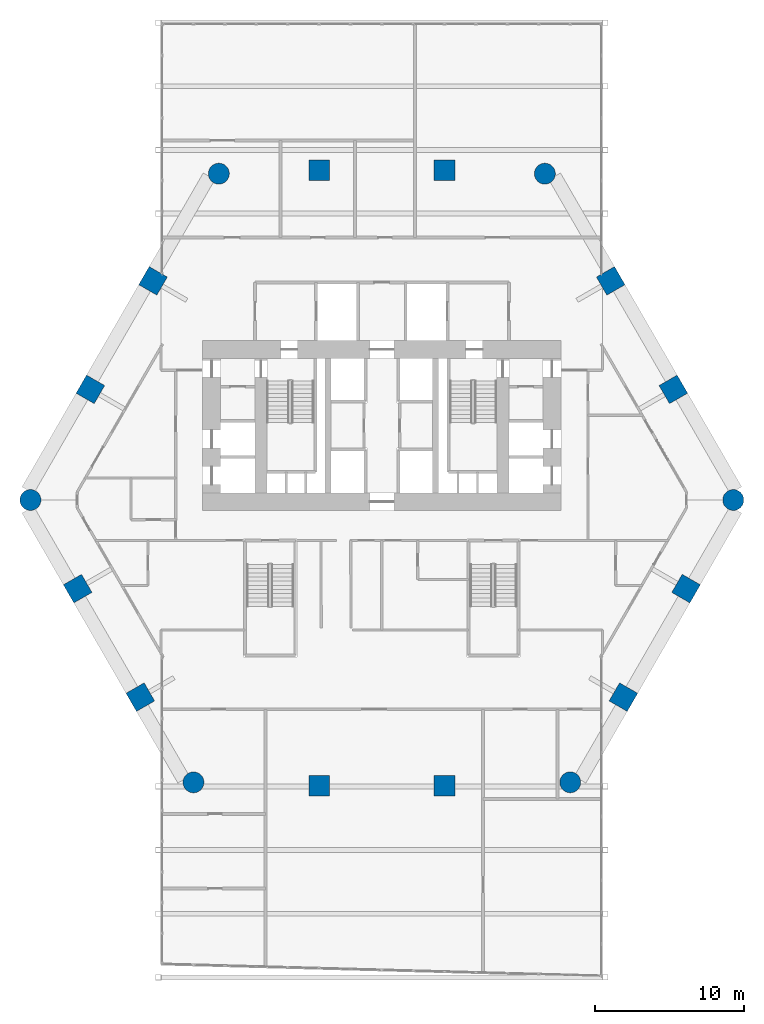
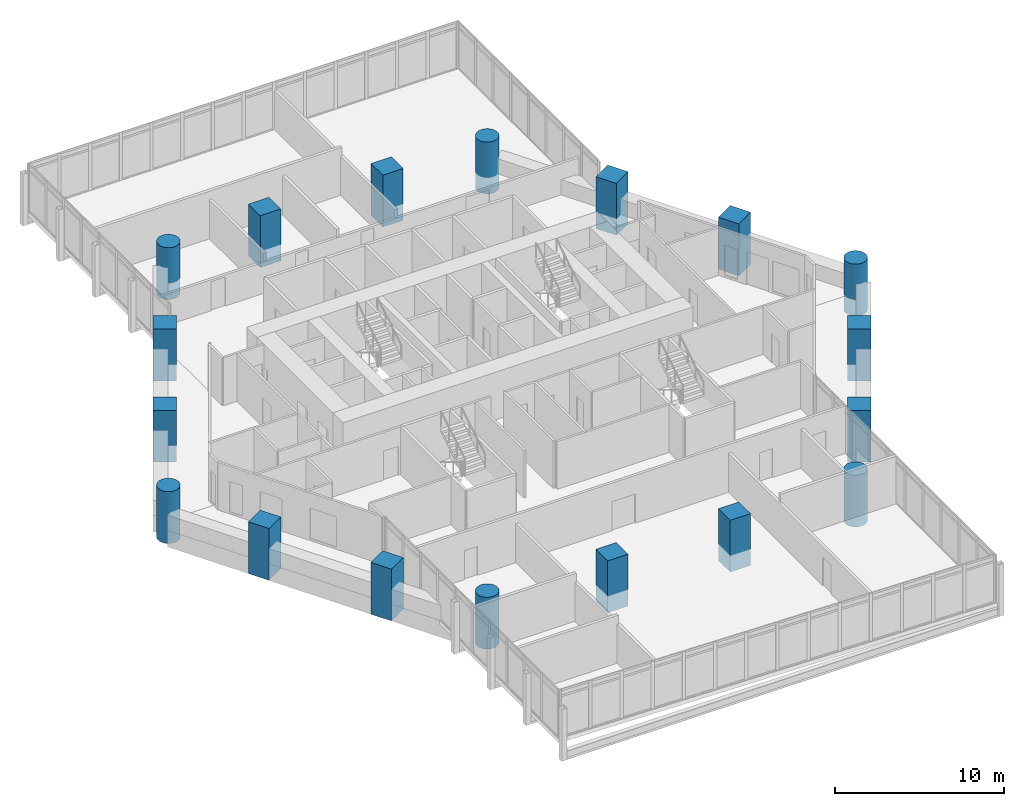
# One storey, part 1 of 28: 18 columns.
"""IFC4 building model written with IfcOpenShell, lengths in metres."""

from ifc_helpers import new_model, si_unit, direction, frame, origin, origin_2d, place, context, subcontext, project, spatial, rectangle, circle, extrude, material, material_profile, profile_set, type_object, element, save


model = new_model("IFC4")

# Units and contexts
model_context = context("Model", 3, precision=1e-05, world=origin(), true_north=direction((0.0, 1.0)))
body_context = subcontext(model_context, "Body", "Model", "MODEL_VIEW")
ifc_project = project(units=[si_unit("LENGTHUNIT", "METRE"), si_unit("AREAUNIT", "SQUARE_METRE"), si_unit("VOLUMEUNIT", "CUBIC_METRE"), si_unit("PLANEANGLEUNIT", "RADIAN"), si_unit("MASSUNIT", "GRAM", prefix="KILO")], contexts=[model_context])

# Site, building, storey
site_placement = place(None, origin())
site = spatial("IfcSite", under=ifc_project, at=site_placement, CompositionType="ELEMENT")
building_placement = place(site_placement, origin())
building = spatial("IfcBuilding", under=site, at=building_placement, Name="Ostrander Bayou Hotel Tower", CompositionType="ELEMENT")
storey_placement = place(building_placement, frame((0.0, 0.0, 73.0)))
storey = spatial("IfcBuildingStorey", under=building, at=storey_placement, Name="L18", CompositionType="ELEMENT", Elevation=73.0)

# Columns
ifc_material_1 = material(Name="Concrete f'c 70 MPa", Category="concrete")
ifc_material_profile_1 = material_profile(ifc_material_1, circle(Radius=0.699951171875, at=origin_2d()))
ifc_profile_set_1 = profile_set([ifc_material_profile_1], Name="Concrete f'c 70 MPa")
column_type_1 = type_object("IfcColumnType", Name="C1 round column 1400 mm f'c 70 MPa", PredefinedType="COLUMN", material=ifc_profile_set_1)
for number, where, z_axis, x_axis, name in (
    (1, (-10.916748046875, 20.872314453125, -1.199951171875), (0.0, 0.0, 1.0), (1.0, 0.0, 0.0), "C1 L18 K0"),
    (2, (-23.5341796875, -0.98193359375, -1.199951171875), (0.0, 0.0, 1.0), (1.0, 0.0, 0.0), "C1 L18 K1"),
    (3, (-12.617431640625, -19.890380859375, -1.199951171875), (0.0, 0.0, 1.0), (1.0, 0.0, 0.0), "C1 L18 K2"),
    (4, (12.617431640625, -19.890380859375, -1.199951171875), (0.0, 0.0, 1.0), (1.0, 0.0, 0.0), "C1 L18 K3"),
    (5, (23.5341796875, -0.98193359375, -1.199951171875), (0.0, 0.0, 1.0), (1.0, 0.0, 0.0), "C1 L18 K4"),
    (6, (10.916748046875, 20.872314453125, -1.199951171875), (0.0, 0.0, 1.0), (1.0, 0.0, 0.0), "C1 L18 K5"),
):
    element("IfcColumn", number, at=place(storey_placement, frame(where, z_axis=z_axis, x_axis=x_axis)), inside=storey, type_object=column_type_1, Name=name, PredefinedType="COLUMN", context=body_context, shape_type="SweptSolid", body=[
        extrude(circle(Radius=0.699951171875, at=origin_2d()), origin(), (0.0, 0.0, 1.0), 3.75),
    ])
ifc_material_2 = material(Name="Concrete f'c 70 MPa", Category="concrete")
ifc_material_profile_2 = material_profile(ifc_material_2, rectangle(XDim=1.39990234375, YDim=1.39990234375, at=origin_2d()))
ifc_profile_set_2 = profile_set([ifc_material_profile_2], Name="Concrete f'c 70 MPa")
column_type_2 = type_object("IfcColumnType", Name="C2 square column 1400 x 1400 mm f'c 70 MPa", PredefinedType="COLUMN", material=ifc_profile_set_2)
for number, where, z_axis, x_axis, name in (
    (7, (4.1953125, 21.10009765625, -1.199951171875), (0.0, 0.0, 1.0), (1.0, 0.0, 0.0), "C2 L18 N1"),
    (8, (-4.1953125, 21.10009765625, -1.199951171875), (0.0, 0.0, 1.0), (1.0, 0.0, 0.0), "C2 L18 N2"),
    (9, (-15.3251953125, 13.6923828125, -1.199951171875), (0.0, 0.0, 1.0), (0.5, 0.866025403784, 0.0), "C2 L18 NW1"),
    (10, (-19.5205078125, 6.42578125, -1.199951171875), (0.0, 0.0, 1.0), (0.5, 0.866025403784, 0.0), "C2 L18 NW2"),
    (11, (-20.370849609375, -6.916748046875, -1.199951171875), (0.0, 0.0, 1.0), (-0.5, 0.866025403784, 0.0), "C2 L18 SW1"),
    (12, (-16.17529296875, -14.183349609375, -1.199951171875), (0.0, 0.0, 1.0), (-0.5, 0.866025403784, 0.0), "C2 L18 SW2"),
    (13, (-4.1953125, -20.1181640625, -1.199951171875), (0.0, 0.0, 1.0), (-1.0, 0.0, 0.0), "C2 L18 S1"),
    (14, (4.1953125, -20.1181640625, -1.199951171875), (0.0, 0.0, 1.0), (-1.0, 0.0, 0.0), "C2 L18 S2"),
    (15, (16.17529296875, -14.183349609375, -1.199951171875), (0.0, 0.0, 1.0), (-0.5, -0.866025403784, 0.0), "C2 L18 SE1"),
    (16, (20.370849609375, -6.916748046875, -1.199951171875), (0.0, 0.0, 1.0), (-0.5, -0.866025403784, 0.0), "C2 L18 SE2"),
    (17, (19.5205078125, 6.42578125, -1.199951171875), (0.0, 0.0, 1.0), (0.5, -0.866025403784, 0.0), "C2 L18 NE1"),
    (18, (15.3251953125, 13.6923828125, -1.199951171875), (0.0, 0.0, 1.0), (0.5, -0.866025403784, 0.0), "C2 L18 NE2"),
):
    element("IfcColumn", number, at=place(storey_placement, frame(where, z_axis=z_axis, x_axis=x_axis)), inside=storey, type_object=column_type_2, Name=name, PredefinedType="COLUMN", context=body_context, shape_type="SweptSolid", body=[
        extrude(rectangle(XDim=1.39990234375, YDim=1.39990234375, at=origin_2d()), origin(), (0.0, 0.0, 1.0), 3.75),
    ])

save(model, "model.ifc")
